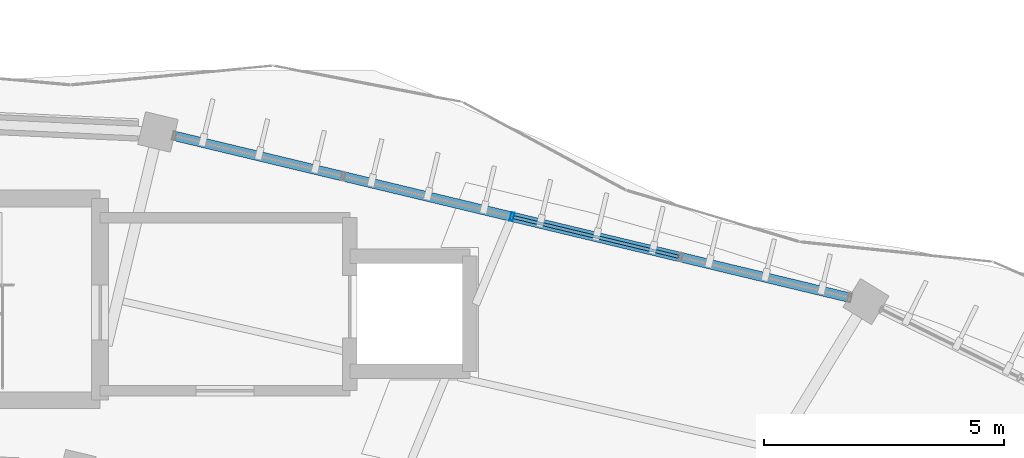
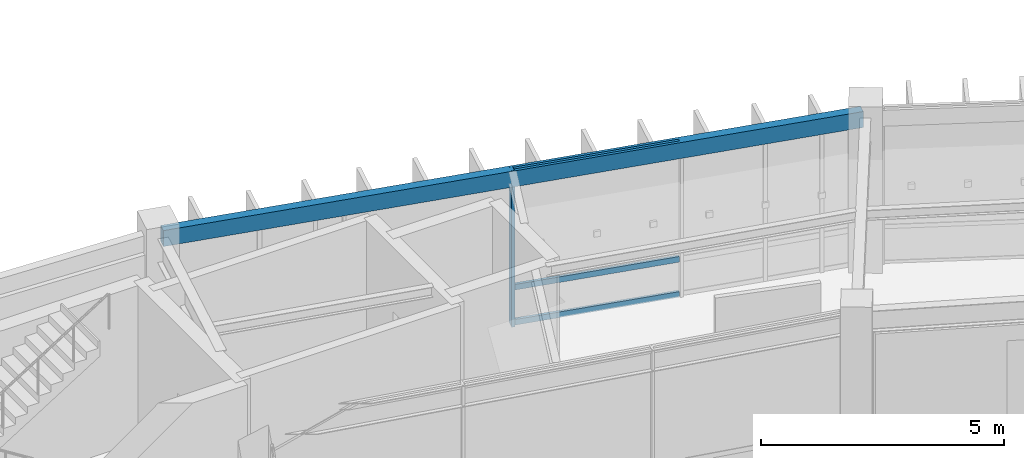
# One storey, part 73 of 138: 4 members, 1 beam, 1 element without a shape of its own.
"""IFC4 building model written with IfcOpenShell, lengths in metres."""

from ifc_helpers import new_model, si_unit, direction, frame, origin, origin_2d, place, context, subcontext, project, spatial, hollow_rectangle, extrude, material, material_profile, profile_set, type_object, element, aggregate, save


model = new_model("IFC4")

# Units and contexts
model_context = context("Model", 3, precision=1e-05, world=origin(), true_north=direction((0.0, 1.0)))
body_context = subcontext(model_context, "Body", "Model", "MODEL_VIEW")
ifc_project = project(units=[si_unit("LENGTHUNIT", "METRE"), si_unit("AREAUNIT", "SQUARE_METRE"), si_unit("VOLUMEUNIT", "CUBIC_METRE"), si_unit("PLANEANGLEUNIT", "RADIAN"), si_unit("MASSUNIT", "GRAM", prefix="KILO"), si_unit("THERMODYNAMICTEMPERATUREUNIT", "KELVIN"), si_unit("POWERUNIT", "WATT")], contexts=[model_context])

# Site, building, storey
site_placement = place(None, origin())
site = spatial("IfcSite", under=ifc_project, at=site_placement, CompositionType="ELEMENT")
building_placement = place(site_placement, origin())
building = spatial("IfcBuilding", under=site, at=building_placement, Name="Darbajah Civic Hall", CompositionType="ELEMENT")
storey_placement = place(building_placement, frame((0.0, 0.0, 9.60009765625)))
storey = spatial("IfcBuildingStorey", under=building, at=storey_placement, Name="L02", CompositionType="ELEMENT", Elevation=9.60009765625)

# Curtain wall, members
ifc_material_1 = material(Name="Anodised Bronze Aluminium and Low-E Glazing", Category="aluminium")
curtain_wall_type = type_object("IfcCurtainWallType", Name="Unitised Curtain Wall CW-40 14500x3900", PredefinedType="USERDEFINED", material=ifc_material_1)
curtain_wall_placement = place(storey_placement, origin())
curtain_wall = element("IfcCurtainWall", 1, at=curtain_wall_placement, inside=storey, type_object=curtain_wall_type, Name="L02 unitised curtain wall CW-V1O-L02-03", ObjectType="UNITISED CURTAIN WALL", PredefinedType="USERDEFINED")
ifc_material_2 = material(Name="Anodised Bronze Aluminium", Category="aluminium")
ifc_material_profile_1 = material_profile(ifc_material_2, hollow_rectangle(XDim=0.06494140625, YDim=0.179931640625, WallThickness=0.00390625, at=origin_2d()), Name="ALU MULLION 65x180")
ifc_profile_set_1 = profile_set([ifc_material_profile_1], Name="Anodised Bronze Aluminium")
member_type_1 = type_object("IfcMemberType", Name="ALU MULLION 65x180", PredefinedType="MULLION", material=ifc_profile_set_1)
member_1_placement = place(storey_placement, frame((108.376708984375, 116.718994140625, 0.0), z_axis=(0.0, 0.0, 1.0), x_axis=(-0.972492018808, 0.232936200179, 0.0)))
member_1 = element("IfcMember", 2, at=member_1_placement, type_object=member_type_1, Name="CW-V1O-L02-03 mullion 3", PredefinedType="MULLION", context=body_context, shape_type="SweptSolid", body=[
    extrude(hollow_rectangle(XDim=0.06494140625, YDim=0.179931640625, WallThickness=0.00390625, at=origin_2d()), origin(), (0.0, 0.0, 1.0), 3.919921875),
])
ifc_material_profile_2 = material_profile(ifc_material_2, hollow_rectangle(XDim=0.06494140625, YDim=0.139892578125, WallThickness=0.00341796875, at=origin_2d()), Name="ALU TRANSOM 65x140")
ifc_profile_set_2 = profile_set([ifc_material_profile_2], Name="Anodised Bronze Aluminium")
member_type_2 = type_object("IfcMemberType", Name="ALU TRANSOM 65x140", PredefinedType="USERDEFINED", material=ifc_profile_set_2)
member_2_placement = place(storey_placement, frame((111.8544921875, 115.885498046875, 0.06982421875), z_axis=(-0.972466150387, 0.233044172532, 0.0), x_axis=(-0.233044172532, -0.972466150387, 0.0)))
member_2 = element("IfcMember", 3, at=member_2_placement, type_object=member_type_2, Name="CW-V1O-L02-03 transom 2.1", ObjectType="TRANSOM", PredefinedType="USERDEFINED", context=body_context, shape_type="SweptSolid", body=[
    extrude(hollow_rectangle(XDim=0.06494140625, YDim=0.139892578125, WallThickness=0.00341796875, at=origin_2d()), origin(), (0.0, 0.0, 1.0), 3.538818359375),
])
member_3_placement = place(storey_placement, frame((111.8544921875, 115.885498046875, 0.949951171875), z_axis=(-0.972466150387, 0.233044172532, 0.0), x_axis=(-0.233044172532, -0.972466150387, 0.0)))
member_3 = element("IfcMember", 4, at=member_3_placement, type_object=member_type_2, Name="CW-V1O-L02-03 transom 2.2", ObjectType="TRANSOM", PredefinedType="USERDEFINED", context=body_context, shape_type="SweptSolid", body=[
    extrude(hollow_rectangle(XDim=0.06494140625, YDim=0.139892578125, WallThickness=0.00341796875, at=origin_2d()), origin(), (0.0, 0.0, 1.0), 3.538818359375),
])
member_4_placement = place(storey_placement, frame((111.8544921875, 115.885498046875, 3.849853515625), z_axis=(-0.972466150387, 0.233044172532, 0.0), x_axis=(-0.233044172532, -0.972466150387, 0.0)))
member_4 = element("IfcMember", 5, at=member_4_placement, type_object=member_type_2, Name="CW-V1O-L02-03 transom 2.3", ObjectType="TRANSOM", PredefinedType="USERDEFINED", context=body_context, shape_type="SweptSolid", body=[
    extrude(hollow_rectangle(XDim=0.06494140625, YDim=0.139892578125, WallThickness=0.00341796875, at=origin_2d()), origin(), (0.0, 0.0, 1.0), 3.538818359375),
])
aggregate(curtain_wall, [member_1, member_2, member_3, member_4])

# Beam
ifc_material_3 = material(Name="Steel S355JR", Category="steel")
ifc_material_profile_3 = material_profile(ifc_material_3, hollow_rectangle(XDim=0.199951171875, YDim=0.39990234375, WallThickness=0.013916015625, at=origin_2d()), Name="RHS 400x200x14")
ifc_profile_set_3 = profile_set([ifc_material_profile_3], Name="Steel S355JR")
beam_type = type_object("IfcBeamType", Name="RHS 400x200x14", PredefinedType="SPANDREL", material=ifc_profile_set_3)
beam_placement = place(storey_placement, frame((115.669677734375, 114.971435546875, 3.719970703125), z_axis=(-0.972475144086, 0.233006639679, 0.0), x_axis=(-0.233006639679, -0.972475144086, 0.0)))
element("IfcBeam", 6, at=beam_placement, inside=storey, type_object=beam_type, Name="L02 beam SP-RHS400", PredefinedType="SPANDREL", context=body_context, shape_type="SweptSolid", body=[
    extrude(hollow_rectangle(XDim=0.199951171875, YDim=0.39990234375, WallThickness=0.013916015625, at=origin_2d()), origin(), (0.0, 0.0, 1.0), 14.9990234375),
])

save(model, "model.ifc")
